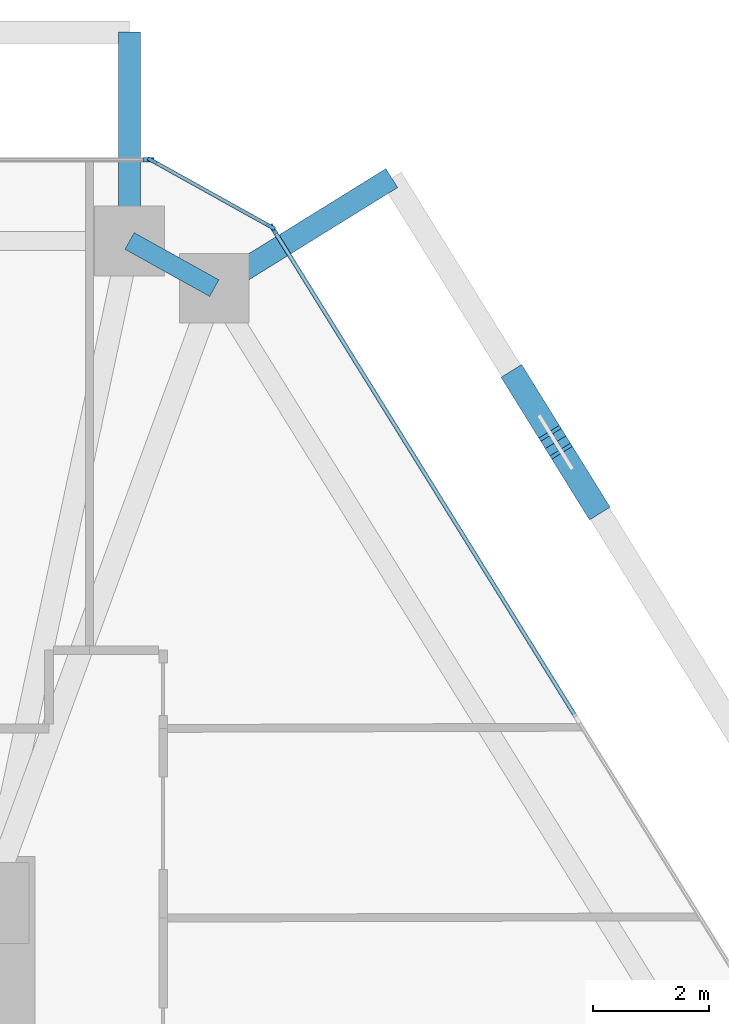
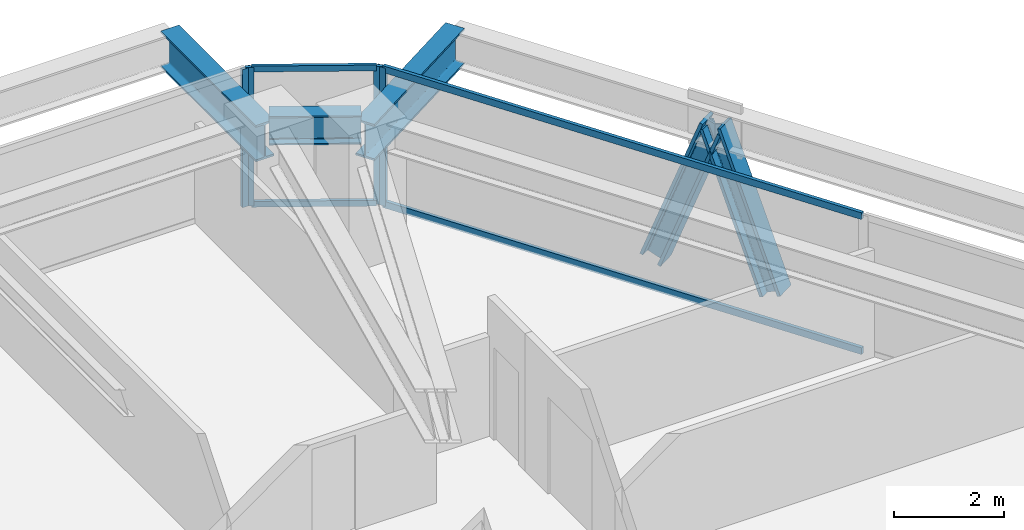
# One storey, part 8 of 16: 10 members, 3 beams, 3 elements without a shape of their own.
"""IFC4 building model written with IfcOpenShell, lengths in metres."""

from ifc_helpers import new_model, si_unit, direction, frame, origin, origin_2d, place, context, subcontext, project, spatial, rectangle, i_section, extrude, source, transform, mapped, material, layer, layer_set, material_profile, profile_set, type_object, type_shapes, element, aggregate, save


model = new_model("IFC4")

# Units and contexts
model_context = context("Model", 3, precision=1e-05, world=origin(), true_north=direction((0.0, 1.0)))
body_context = subcontext(model_context, "Body", "Model", "MODEL_VIEW")
ifc_project = project(units=[si_unit("LENGTHUNIT", "METRE"), si_unit("AREAUNIT", "SQUARE_METRE"), si_unit("VOLUMEUNIT", "CUBIC_METRE"), si_unit("PLANEANGLEUNIT", "RADIAN"), si_unit("MASSUNIT", "GRAM", prefix="KILO")], contexts=[model_context])

# Site, building, storey
site_placement = place(None, origin())
site = spatial("IfcSite", under=ifc_project, at=site_placement, CompositionType="ELEMENT")
building_placement = place(site_placement, origin())
building = spatial("IfcBuilding", under=site, at=building_placement, Name="Durnholm Broadcast Tower", CompositionType="ELEMENT")
storey_placement = place(building_placement, frame((0.0, 0.0, 123.89990234375)))
storey = spatial("IfcBuildingStorey", under=building, at=storey_placement, Name="L33", CompositionType="ELEMENT", Elevation=123.89990234375)

# Beams
ifc_material_1 = material(Name="Steel ASTM A992 Grade 50", Category="steel")
ifc_material_profile_1 = material_profile(ifc_material_1, i_section(OverallWidth=0.385009765625, OverallDepth=0.802978515625, WebThickness=0.023681640625, FlangeThickness=0.0419921875, FilletRadius=0.032958984375, at=origin_2d()), Name="W30X261")
ifc_profile_set_1 = profile_set([ifc_material_profile_1], Name="Steel ASTM A992 Grade 50")
beam_type_1 = type_object("IfcBeamType", Name="BM-EXO-TIE", PredefinedType="USERDEFINED", material=ifc_profile_set_1)
shared_shape_1 = source(origin(), body_context, "Body", "SweptSolid", [
    extrude(i_section(OverallWidth=0.385009765625, OverallDepth=0.802978515625, WebThickness=0.023681640625, FlangeThickness=0.0419921875, FilletRadius=0.032958984375, at=origin_2d()), origin(), (0.0, 0.0, 1.0), 3.4560546875),
])
beam_1_placement = place(storey_placement, frame((12.22998046875, 19.35888671875, 2.30859375), z_axis=(0.0, 1.0, 0.0), x_axis=(-1.0, 0.0, 0.0)))
element("IfcBeam", 1, at=beam_1_placement, inside=storey, type_object=beam_type_1, Name="L33 exoskeleton stand-off tie bracket F4.1", ObjectType="GIRDER", PredefinedType="USERDEFINED", context=body_context, shape_type="MappedRepresentation", body=[
    mapped(shared_shape_1, transform((0.0, 0.0, 0.0), x_axis=(1.0, 0.0, 0.0), y_axis=(0.0, 1.0, 0.0), z_axis=(0.0, 0.0, 1.0), scale=1.0)),
])
shared_shape_2 = source(origin(), body_context, "Body", "SweptSolid", [
    extrude(i_section(OverallWidth=0.385009765625, OverallDepth=0.802978515625, WebThickness=0.023681640625, FlangeThickness=0.0419921875, FilletRadius=0.032958984375, at=origin_2d()), origin(), (0.0, 0.0, 1.0), 3.455810546875),
])
type_shapes(beam_type_1, [shared_shape_1, shared_shape_2])
beam_2_placement = place(storey_placement, frame((13.814697265625, 18.477294921875, 2.30859375), z_axis=(0.849807128357, 0.527093772107, 0.0), x_axis=(-0.527093772107, 0.849807128357, 0.0)))
element("IfcBeam", 2, at=beam_2_placement, inside=storey, type_object=beam_type_1, Name="L33 exoskeleton stand-off tie bracket F3.2", ObjectType="GIRDER", PredefinedType="USERDEFINED", context=body_context, shape_type="MappedRepresentation", body=[
    mapped(shared_shape_2, transform((0.0, 0.0, 0.0), x_axis=(1.0, 0.0, 0.0), y_axis=(0.0, 1.0, 0.0), z_axis=(0.0, 0.0, 1.0), scale=1.0)),
])
ifc_material_profile_2 = material_profile(ifc_material_1, i_section(OverallWidth=0.3291015625, OverallDepth=0.635009765625, WebThickness=0.017822265625, FlangeThickness=0.031005859375, FilletRadius=0.02783203125, at=origin_2d()), Name="W24X162")
ifc_profile_set_2 = profile_set([ifc_material_profile_2], Name="Steel ASTM A992 Grade 50")
beam_type_2 = type_object("IfcBeamType", Name="STL-SP-W24X162", PredefinedType="SPANDREL", material=ifc_profile_set_2)
shared_shape_3 = source(origin(), body_context, "Body", "SweptSolid", [
    extrude(i_section(OverallWidth=0.3291015625, OverallDepth=0.635009765625, WebThickness=0.017822265625, FlangeThickness=0.031005859375, FilletRadius=0.02783203125, at=origin_2d()), origin(), (0.0, 0.0, 1.0), 1.67333984375),
])
type_shapes(beam_type_2, [shared_shape_3])
beam_3_placement = place(storey_placement, frame((12.22998046875, 19.215087890625, 2.7275390625), z_axis=(0.873799169188, -0.486286964586, 0.0), x_axis=(0.486286964586, 0.873799169188, 0.0)))
element("IfcBeam", 3, at=beam_3_placement, inside=storey, type_object=beam_type_2, Name="L33 perimeter spandrel girder 06", PredefinedType="SPANDREL", context=body_context, shape_type="MappedRepresentation", body=[
    mapped(shared_shape_3, transform((0.0, 0.0, 0.0), x_axis=(1.0, 0.0, 0.0), y_axis=(0.0, 1.0, 0.0), z_axis=(0.0, 0.0, 1.0), scale=1.0)),
])

# Members
ifc_material_2 = material(Name="Steel ASTM A913 Grade 65", Category="steel")
ifc_material_profile_3 = material_profile(ifc_material_2, i_section(OverallWidth=0.41845703125, OverallDepth=0.455078125, WebThickness=0.0419921875, FlangeThickness=0.067626953125, FilletRadius=0.030517578125, at=origin_2d()), Name="W14X370")
ifc_profile_set_3 = profile_set([ifc_material_profile_3], Name="Steel ASTM A913 Grade 65")
member_type_1 = type_object("IfcMemberType", Name="STL-DG-W14X370", PredefinedType="BRACE", material=ifc_profile_set_3)
shared_shape_4 = source(origin(), body_context, "Body", "SweptSolid", [
    extrude(i_section(OverallWidth=0.41845703125, OverallDepth=0.455078125, WebThickness=0.0419921875, FlangeThickness=0.067626953125, FilletRadius=0.030517578125, at=origin_2d()), origin(), (0.0, 0.0, 1.0), 3.52294921875),
])
type_shapes(member_type_1, [shared_shape_4])
for number, where, z_axis, x_axis, name in (
    (4, (20.2265625, 14.6962890625, -0.9912109375), (-0.184551685663, 0.297583529192, 0.936688165011), (-0.849838868368, -0.527042595823, 0.0), "L33 stand-off diagrid brace F3.D2.1"),
    (5, (18.92578125, 16.793212890625, -0.9912109375), (0.184681755165, -0.297639076335, 0.936644879102), (0.849716575602, 0.52723973783, 0.0), "L33 stand-off diagrid brace F3.D2.2"),
):
    element("IfcMember", number, at=place(storey_placement, frame(where, z_axis=z_axis, x_axis=x_axis)), inside=storey, type_object=member_type_1, Name=name, PredefinedType="BRACE", context=body_context, shape_type="MappedRepresentation", body=[
        mapped(shared_shape_4, transform((0.0, 0.0, 0.0), x_axis=(1.0, 0.0, 0.0), y_axis=(0.0, 1.0, 0.0), z_axis=(0.0, 0.0, 1.0), scale=1.0)),
    ])

# Curtain wall, members
ifc_material_3 = material(Name="Aluminium and Solar Control IGU", Category="aluminium")
ifc_layer_1 = layer(ifc_material_3, 0.1650390625)
ifc_layer_set_1 = layer_set([ifc_layer_1], Name="Aluminium and Solar Control IGU")
curtain_wall_type_1 = type_object("IfcCurtainWallType", Name="CW-SYS-5", PredefinedType="NOTDEFINED", material=ifc_layer_set_1)
curtain_wall_1_placement = place(storey_placement, origin())
curtain_wall_1 = element("IfcCurtainWall", 6, at=curtain_wall_1_placement, inside=storey, type_object=curtain_wall_type_1, Name="L33 curtain wall CW-CORNER CW-L33-CRN-05", PredefinedType="NOTDEFINED")
ifc_material_4 = material(Name="Aluminium 6063-T6", Category="aluminium")
ifc_material_profile_4 = material_profile(ifc_material_4, rectangle(XDim=0.06494140625, YDim=0.1650390625, at=origin_2d()), Name="CWM65X165")
ifc_profile_set_4 = profile_set([ifc_material_profile_4], Name="Aluminium 6063-T6")
member_type_2 = type_object("IfcMemberType", Name="CW-SYS-5-MUL", PredefinedType="MULLION", material=ifc_profile_set_4)
shared_shape_5 = source(origin(), body_context, "Body", "SweptSolid", [
    extrude(rectangle(XDim=0.06494140625, YDim=0.1650390625, at=origin_2d()), origin(), (0.0, 0.0, 1.0), 3.06005859375),
])
type_shapes(member_type_2, [shared_shape_5])
member_1_placement = place(storey_placement, frame((12.62158203125, 20.59912109375, 0.0), z_axis=(0.0, 0.0, 1.0), x_axis=(0.486244224192, 0.873822953715, 0.0)))
member_1 = element("IfcMember", 7, at=member_1_placement, type_object=member_type_2, Name="CW-CORNER mullion 1", PredefinedType="MULLION", context=body_context, shape_type="MappedRepresentation", body=[
    mapped(shared_shape_5, transform((0.0, 0.0, 0.0), x_axis=(1.0, 0.0, 0.0), y_axis=(0.0, 1.0, 0.0), z_axis=(0.0, 0.0, 1.0), scale=1.0)),
])
member_2_placement = place(storey_placement, frame((14.662109375, 19.4638671875, 0.0), z_axis=(0.0, 0.0, 1.0), x_axis=(0.486244224192, 0.873822953715, 0.0)))
member_2 = element("IfcMember", 8, at=member_2_placement, type_object=member_type_2, Name="CW-CORNER mullion 2", PredefinedType="MULLION", context=body_context, shape_type="MappedRepresentation", body=[
    mapped(shared_shape_5, transform((0.0, 0.0, 0.0), x_axis=(1.0, 0.0, 0.0), y_axis=(0.0, 1.0, 0.0), z_axis=(0.0, 0.0, 1.0), scale=1.0)),
])

# Curtain wall, member
ifc_layer_2 = layer(ifc_material_3, 0.18994140625)
ifc_layer_set_2 = layer_set([ifc_layer_2], Name="Aluminium and Solar Control IGU")
curtain_wall_type_2 = type_object("IfcCurtainWallType", Name="CW-SYS-3", PredefinedType="NOTDEFINED", material=ifc_layer_set_2)
curtain_wall_2_placement = place(storey_placement, origin())
curtain_wall_2 = element("IfcCurtainWall", 9, at=curtain_wall_2_placement, inside=storey, type_object=curtain_wall_type_2, Name="L33 curtain wall CW-Z12-VIS CW-L33-F04", PredefinedType="NOTDEFINED")
ifc_material_profile_5 = material_profile(ifc_material_4, rectangle(XDim=0.070068359375, YDim=0.18994140625, at=origin_2d()), Name="CWM70X190")
ifc_profile_set_5 = profile_set([ifc_material_profile_5], Name="Aluminium 6063-T6")
member_type_3 = type_object("IfcMemberType", Name="CW-SYS-3-MUL", PredefinedType="MULLION", material=ifc_profile_set_5)
shared_shape_6 = source(origin(), body_context, "Body", "SweptSolid", [
    extrude(rectangle(XDim=0.070068359375, YDim=0.18994140625, at=origin_2d()), origin(), (0.0, 0.0, 1.0), 3.06005859375),
])
type_shapes(member_type_3, [shared_shape_6])
member_3_placement = place(storey_placement, frame((12.55810546875, 20.614990234375, 0.0), z_axis=(0.0, 0.0, 1.0), x_axis=(0.0, 1.0, 0.0)))
member_3 = element("IfcMember", 10, at=member_3_placement, type_object=member_type_3, Name="CW-Z12-VIS mullion 3", PredefinedType="MULLION", context=body_context, shape_type="MappedRepresentation", body=[
    mapped(shared_shape_6, transform((0.0, 0.0, 0.0), x_axis=(1.0, 0.0, 0.0), y_axis=(0.0, 1.0, 0.0), z_axis=(0.0, 0.0, 1.0), scale=1.0)),
])
aggregate(curtain_wall_2, [member_3])

curtain_wall_3_placement = place(storey_placement, origin())
curtain_wall_3 = element("IfcCurtainWall", 11, at=curtain_wall_3_placement, inside=storey, type_object=curtain_wall_type_2, Name="L33 curtain wall CW-Z12-VIS CW-L33-F06", PredefinedType="NOTDEFINED")
member_4_placement = place(storey_placement, frame((14.708740234375, 19.418212890625, 0.0), z_axis=(0.0, 0.0, 1.0), x_axis=(0.849799925229, 0.527105385176, 0.0)))
member_4 = element("IfcMember", 12, at=member_4_placement, type_object=member_type_3, Name="CW-Z12-VIS mullion 1", PredefinedType="MULLION", context=body_context, shape_type="MappedRepresentation", body=[
    mapped(shared_shape_6, transform((0.0, 0.0, 0.0), x_axis=(1.0, 0.0, 0.0), y_axis=(0.0, 1.0, 0.0), z_axis=(0.0, 0.0, 1.0), scale=1.0)),
])

# Member
ifc_material_profile_6 = material_profile(ifc_material_4, rectangle(XDim=0.06494140625, YDim=0.1298828125, at=origin_2d()), Name="CWT65X130")
ifc_profile_set_6 = profile_set([ifc_material_profile_6], Name="Aluminium 6063-T6")
member_type_4 = type_object("IfcMemberType", Name="CW-SYS-5-TRN", PredefinedType="USERDEFINED", material=ifc_profile_set_6)
shared_shape_7 = source(origin(), body_context, "Body", "SweptSolid", [
    extrude(rectangle(XDim=0.06494140625, YDim=0.1298828125, at=origin_2d()), origin(), (0.0, 0.0, 1.0), 2.270263671875),
])
type_shapes(member_type_4, [shared_shape_7])
member_5_placement = place(storey_placement, frame((12.64990234375, 20.58349609375, 0.03271484375), z_axis=(0.873786708897, -0.486309353555, 0.0), x_axis=(0.486309353555, 0.873786708897, 0.0)))
member_5 = element("IfcMember", 13, at=member_5_placement, type_object=member_type_4, Name="CW-CORNER transom 1.1", ObjectType="TRANSOM", PredefinedType="USERDEFINED", context=body_context, shape_type="MappedRepresentation", body=[
    mapped(shared_shape_7, transform((0.0, 0.0, 0.0), x_axis=(1.0, 0.0, 0.0), y_axis=(0.0, 1.0, 0.0), z_axis=(0.0, 0.0, 1.0), scale=1.0)),
])

member_6_placement = place(storey_placement, frame((12.64990234375, 20.58349609375, 3.027587890625), z_axis=(0.873786708897, -0.486309353555, 0.0), x_axis=(0.486309353555, 0.873786708897, 0.0)))
member_6 = element("IfcMember", 14, at=member_6_placement, type_object=member_type_4, Name="CW-CORNER transom 1.2", ObjectType="TRANSOM", PredefinedType="USERDEFINED", context=body_context, shape_type="MappedRepresentation", body=[
    mapped(shared_shape_7, transform((0.0, 0.0, 0.0), x_axis=(1.0, 0.0, 0.0), y_axis=(0.0, 1.0, 0.0), z_axis=(0.0, 0.0, 1.0), scale=1.0)),
])

aggregate(curtain_wall_1, [member_1, member_2, member_5, member_6])

ifc_material_profile_7 = material_profile(ifc_material_4, rectangle(XDim=0.070068359375, YDim=0.14990234375, at=origin_2d()), Name="CWT70X150")
ifc_profile_set_7 = profile_set([ifc_material_profile_7], Name="Aluminium 6063-T6")
member_type_5 = type_object("IfcMemberType", Name="CW-SYS-3-TRN", PredefinedType="USERDEFINED", material=ifc_profile_set_7)
shared_shape_8 = source(origin(), body_context, "Body", "SweptSolid", [
    extrude(rectangle(XDim=0.070068359375, YDim=0.14990234375, at=origin_2d()), origin(), (0.0, 0.0, 1.0), 9.858642578125),
])
type_shapes(member_type_5, [shared_shape_8])
member_7_placement = place(storey_placement, frame((14.727294921875, 19.388427734375, 0.03515625), z_axis=(0.527102081419, -0.849801974441, 0.0), x_axis=(0.849801974441, 0.527102081419, 0.0)))
member_7 = element("IfcMember", 15, at=member_7_placement, type_object=member_type_5, Name="CW-Z12-VIS transom 1.1", ObjectType="TRANSOM", PredefinedType="USERDEFINED", context=body_context, shape_type="MappedRepresentation", body=[
    mapped(shared_shape_8, transform((0.0, 0.0, 0.0), x_axis=(1.0, 0.0, 0.0), y_axis=(0.0, 1.0, 0.0), z_axis=(0.0, 0.0, 1.0), scale=1.0)),
])

member_8_placement = place(storey_placement, frame((14.727294921875, 19.388427734375, 3.025146484375), z_axis=(0.527102081419, -0.849801974441, 0.0), x_axis=(0.849801974441, 0.527102081419, 0.0)))
member_8 = element("IfcMember", 16, at=member_8_placement, type_object=member_type_5, Name="CW-Z12-VIS transom 1.2", ObjectType="TRANSOM", PredefinedType="USERDEFINED", context=body_context, shape_type="MappedRepresentation", body=[
    mapped(shared_shape_8, transform((0.0, 0.0, 0.0), x_axis=(1.0, 0.0, 0.0), y_axis=(0.0, 1.0, 0.0), z_axis=(0.0, 0.0, 1.0), scale=1.0)),
])

aggregate(curtain_wall_3, [member_4, member_7, member_8])

save(model, "model.ifc")
